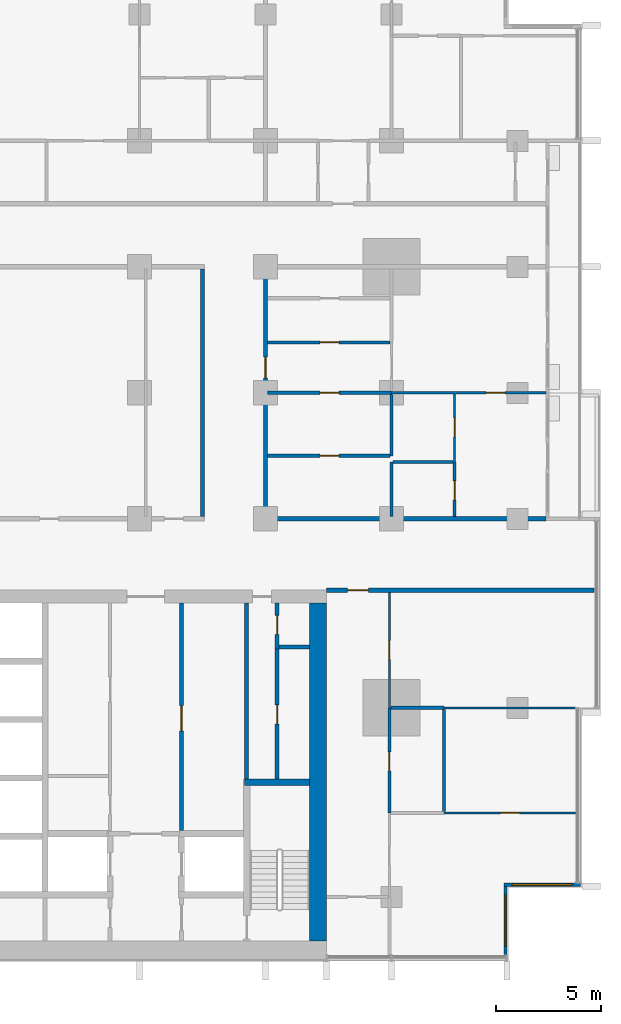
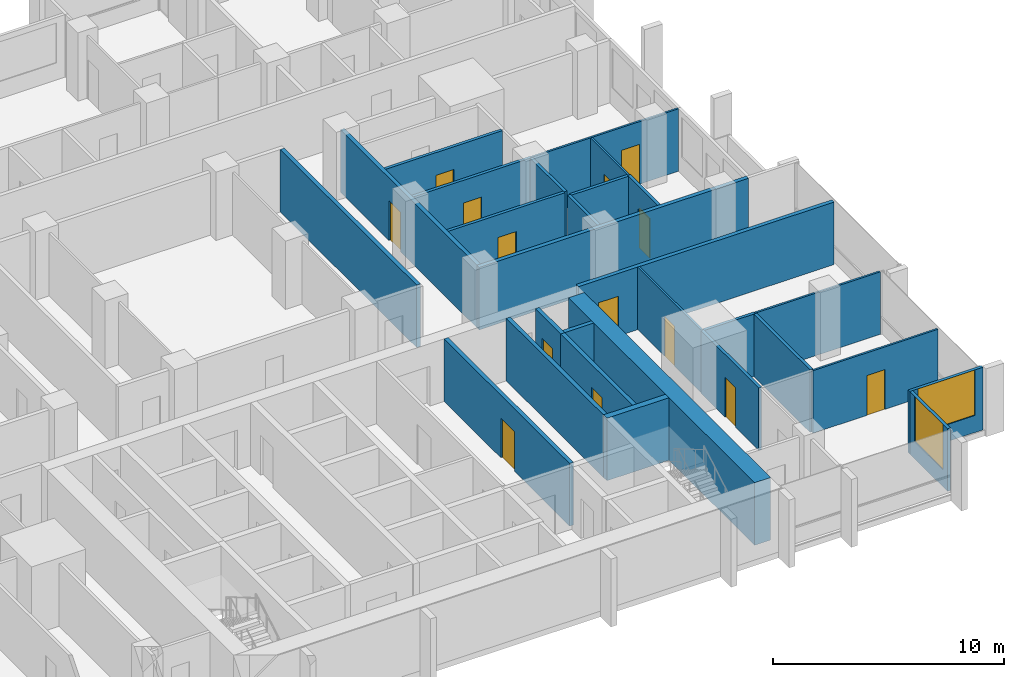
# One storey, part 9 of 17: 28 walls, 14 doors, 2 windows, 16 openings.
"""IFC4 building model written with IfcOpenShell, lengths in metres."""

from ifc_helpers import new_model, si_unit, direction, frame, frame_2d, origin, place, context, subcontext, project, spatial, rectangle, extrude, material, layer, layer_set, type_object, element, fill, save


model = new_model("IFC4")

# Units and contexts
model_context = context("Model", 3, precision=1e-05, world=origin(), true_north=direction((0.0, 1.0)))
body_context = subcontext(model_context, "Body", "Model", "MODEL_VIEW")
ifc_project = project(units=[si_unit("LENGTHUNIT", "METRE"), si_unit("AREAUNIT", "SQUARE_METRE"), si_unit("VOLUMEUNIT", "CUBIC_METRE"), si_unit("PLANEANGLEUNIT", "RADIAN"), si_unit("MASSUNIT", "GRAM", prefix="KILO")], contexts=[model_context])

# Site, building, storey
site_placement = place(None, origin())
site = spatial("IfcSite", under=ifc_project, at=site_placement, CompositionType="ELEMENT")
building_placement = place(site_placement, origin())
building = spatial("IfcBuilding", under=site, at=building_placement, Name="Finial Court Residences", CompositionType="ELEMENT")
storey_placement = place(building_placement, frame((0.0, 0.0, 95.5)))
storey = spatial("IfcBuildingStorey", under=building, at=storey_placement, Name="L23", CompositionType="ELEMENT", Elevation=95.5)

# Wall
ifc_material_1 = material(Name="Concrete C70/85", Category="concrete")
ifc_layer_1 = layer(ifc_material_1, 0.800048828125)
ifc_layer_set_1 = layer_set([ifc_layer_1], Name="Core outer wall 800 Concrete C70/85")
wall_type_1 = type_object("IfcWallType", Name="Core outer wall 800 Concrete C70/85", PredefinedType="SHEAR", material=ifc_layer_set_1)
wall_1_placement = place(storey_placement, frame((13.0, -24.60009765625, 0.0), z_axis=(0.0, 0.0, 1.0), x_axis=(0.0, 1.0, 0.0)))
element("IfcWall", 1, at=wall_1_placement, inside=storey, type_object=wall_type_1, Name="Core outer wall L23-04", PredefinedType="SHEAR", context=body_context, shape_type="SweptSolid", body=[
    extrude(rectangle(XDim=16.10009765625, YDim=0.800048828125, at=frame_2d((8.050048828125, 0.0))), origin(), (0.0, 0.0, 1.0), 3.300048828125),
])

# Wall, opening, door
ifc_material_2 = material(Name="Gypsum board")
ifc_layer_2 = layer(ifc_material_2, 0.02490234375)
ifc_material_3 = material(Name="Acoustic mineral wool in double frame")
ifc_layer_3 = layer(ifc_material_3, 0.14990234375)
ifc_layer_4 = layer(ifc_material_2, 0.02490234375)
ifc_layer_set_2 = layer_set([ifc_layer_2, ifc_layer_3, ifc_layer_4], Name="Corridor wall 200, 1 hour")
wall_type_2 = type_object("IfcWallType", Name="Corridor wall 200, 1 hour", PredefinedType="PARTITIONING", material=ifc_layer_set_2)
wall_2_placement = place(storey_placement, frame((13.39990234375, -7.89990234375, 0.0), z_axis=(0.0, 0.0, 1.0), x_axis=(1.0, 0.0, 0.0)))
wall_2 = element("IfcWall", 2, at=wall_2_placement, inside=storey, type_object=wall_type_2, Name="Partition L23-009", PredefinedType="PARTITIONING", context=body_context, shape_type="SweptSolid", body=[
    extrude(rectangle(XDim=12.75, YDim=0.199951171875, at=frame_2d((6.375, 0.0))), origin(), (0.0, 0.0, 1.0), 3.300048828125),
])
opening_1_placement = place(wall_2_placement, frame((1.0, 0.0, 0.0)))
opening_1 = element("IfcOpeningElement", 3, at=opening_1_placement, cuts=wall_2, Name="Opening L23-D006", PredefinedType="OPENING", context=body_context, shape_type="SweptSolid", body=[
    extrude(rectangle(XDim=1.0, YDim=2.10009765625, at=frame_2d((0.5, 1.050048828125))), frame((0.0, 0.10986328125, 0.0), z_axis=(0.0, -1.0, 0.0), x_axis=(1.0, 0.0, 0.0)), (0.0, 0.0, 1.0), 0.219970703125),
])
ifc_material_4 = material(Name="Timber door leaf in hollow metal frame", Category="wood")
door_type_1 = type_object("IfcDoorType", Name="Fire door set 1000 x 2100, 30 minutes", OperationType="SINGLE_SWING_LEFT", PredefinedType="DOOR", material=ifc_material_4)
door_1_placement = place(opening_1_placement, origin())
door_1 = element("IfcDoor", 4, at=door_1_placement, inside=storey, type_object=door_type_1, Name="Door L23-D006", OperationType="SINGLE_SWING_LEFT", OverallHeight=2.10009765625, OverallWidth=1.0, PredefinedType="DOOR", context=body_context, shape_type="SweptSolid", body=[
    extrude(rectangle(XDim=1.0, YDim=2.10009765625, at=frame_2d((0.5, 1.050048828125))), frame((0.0, 0.02490234375, 0.0), z_axis=(0.0, -1.0, 0.0), x_axis=(1.0, 0.0, 0.0)), (0.0, 0.0, 1.0), 0.050048828125),
])
fill(opening_1, door_1)

# Walls
wall_3_placement = place(storey_placement, frame((10.39990234375, -4.5, 0.0), z_axis=(0.0, 0.0, 1.0), x_axis=(1.0, 0.0, 0.0)))
element("IfcWall", 5, at=wall_3_placement, inside=storey, type_object=wall_type_2, Name="Partition L23-012", PredefinedType="PARTITIONING", context=body_context, shape_type="SweptSolid", body=[
    extrude(rectangle(XDim=13.4501953125, YDim=0.199951171875, at=frame_2d((6.72509765625, 0.0))), origin(), (0.0, 0.0, 1.0), 3.300048828125),
])
wall_4_placement = place(storey_placement, frame((7.5, -4.39990234375, 0.0), z_axis=(0.0, 0.0, 1.0), x_axis=(0.0, 1.0, 0.0)))
element("IfcWall", 6, at=wall_4_placement, inside=storey, type_object=wall_type_2, Name="Partition L23-057", PredefinedType="PARTITIONING", context=body_context, shape_type="SweptSolid", body=[
    extrude(rectangle(XDim=11.7998046875, YDim=0.199951171875, at=frame_2d((5.89990234375, 0.0))), origin(), (0.0, 0.0, 1.0), 3.300048828125),
])

# Wall, opening, door
wall_5_placement = place(storey_placement, frame((10.5, -4.39990234375, 0.0), z_axis=(0.0, 0.0, 1.0), x_axis=(0.0, 1.0, 0.0)))
wall_5 = element("IfcWall", 7, at=wall_5_placement, inside=storey, type_object=wall_type_2, Name="Partition L23-059", PredefinedType="PARTITIONING", context=body_context, shape_type="SweptSolid", body=[
    extrude(rectangle(XDim=11.7998046875, YDim=0.199951171875, at=frame_2d((5.89990234375, 0.0))), origin(), (0.0, 0.0, 1.0), 3.300048828125),
])
opening_2_placement = place(wall_5_placement, frame((6.60009765625, 0.0, 0.0)))
opening_2 = element("IfcOpeningElement", 8, at=opening_2_placement, cuts=wall_5, Name="Opening L23-D040", PredefinedType="OPENING", context=body_context, shape_type="SweptSolid", body=[
    extrude(rectangle(XDim=1.0, YDim=2.10009765625, at=frame_2d((0.5, 1.050048828125))), frame((0.0, 0.10986328125, 0.0), z_axis=(0.0, -1.0, 0.0), x_axis=(1.0, 0.0, 0.0)), (0.0, 0.0, 1.0), 0.219970703125),
])
door_2_placement = place(opening_2_placement, origin())
door_2 = element("IfcDoor", 9, at=door_2_placement, inside=storey, type_object=door_type_1, Name="Door L23-D040", OperationType="SINGLE_SWING_RIGHT", OverallHeight=2.10009765625, OverallWidth=1.0, PredefinedType="DOOR", context=body_context, shape_type="SweptSolid", body=[
    extrude(rectangle(XDim=1.0, YDim=2.10009765625, at=frame_2d((0.5, 1.050048828125))), frame((0.0, 0.02490234375, 0.0), z_axis=(0.0, -1.0, 0.0), x_axis=(1.0, 0.0, 0.0)), (0.0, 0.0, 1.0), 0.050048828125),
])
fill(opening_2, door_2)

ifc_layer_5 = layer(ifc_material_2, 0.012451171875)
ifc_material_5 = material(Name="Mineral wool in light-gauge frame")
ifc_layer_6 = layer(ifc_material_5, 0.074951171875)
ifc_layer_7 = layer(ifc_material_2, 0.012451171875)
ifc_layer_set_3 = layer_set([ifc_layer_5, ifc_layer_6, ifc_layer_7], Name="Gypsum board partition 100")
wall_type_3 = type_object("IfcWallType", Name="Gypsum board partition 100", PredefinedType="PARTITIONING", material=ifc_layer_set_3)
wall_6_placement = place(storey_placement, frame((19.0, -18.5, 0.0), z_axis=(0.0, 0.0, 1.0), x_axis=(1.0, 0.0, 0.0)))
wall_6 = element("IfcWall", 10, at=wall_6_placement, inside=storey, type_object=wall_type_3, Name="Partition L23-002", PredefinedType="PARTITIONING", context=body_context, shape_type="SweptSolid", body=[
    extrude(rectangle(XDim=6.25, YDim=0.10009765625, at=frame_2d((3.125, 0.0))), origin(), (0.0, 0.0, 1.0), 3.300048828125),
])
opening_3_placement = place(wall_6_placement, frame((2.699951171875, 0.0, 0.0)))
opening_3 = element("IfcOpeningElement", 11, at=opening_3_placement, cuts=wall_6, Name="Opening L23-D003", PredefinedType="OPENING", context=body_context, shape_type="SweptSolid", body=[
    extrude(rectangle(XDim=0.89990234375, YDim=2.10009765625, at=frame_2d((0.449951171875, 1.050048828125))), frame((0.0, 0.06005859375, 0.0), z_axis=(0.0, -1.0, 0.0), x_axis=(1.0, 0.0, 0.0)), (0.0, 0.0, 1.0), 0.1201171875),
])
ifc_material_6 = material(Name="Timber door leaf in timber frame", Category="wood")
door_type_2 = type_object("IfcDoorType", Name="Door set 900 x 2100", OperationType="SINGLE_SWING_LEFT", PredefinedType="DOOR", material=ifc_material_6)
door_3_placement = place(opening_3_placement, origin())
door_3 = element("IfcDoor", 12, at=door_3_placement, inside=storey, type_object=door_type_2, Name="Door L23-D003", OperationType="SINGLE_SWING_RIGHT", OverallHeight=2.10009765625, OverallWidth=0.89990234375, PredefinedType="DOOR", context=body_context, shape_type="SweptSolid", body=[
    extrude(rectangle(XDim=0.89990234375, YDim=2.10009765625, at=frame_2d((0.449951171875, 1.050048828125))), frame((0.0, 0.02490234375, 0.0), z_axis=(0.0, -1.0, 0.0), x_axis=(1.0, 0.0, 0.0)), (0.0, 0.0, 1.0), 0.050048828125),
])
fill(opening_3, door_3)

# Wall
wall_7_placement = place(storey_placement, frame((19.0, -13.5, 0.0), z_axis=(0.0, 0.0, 1.0), x_axis=(1.0, 0.0, 0.0)))
element("IfcWall", 13, at=wall_7_placement, inside=storey, type_object=wall_type_3, Name="Partition L23-005", PredefinedType="PARTITIONING", context=body_context, shape_type="SweptSolid", body=[
    extrude(rectangle(XDim=6.25, YDim=0.10009765625, at=frame_2d((3.125, 0.0))), origin(), (0.0, 0.0, 1.0), 3.300048828125),
])

# Wall, opening, door
wall_8_placement = place(storey_placement, frame((16.5, 1.5, 0.0), z_axis=(0.0, 0.0, 1.0), x_axis=(1.0, 0.0, 0.0)))
wall_8 = element("IfcWall", 14, at=wall_8_placement, inside=storey, type_object=wall_type_3, Name="Partition L23-016", PredefinedType="PARTITIONING", context=body_context, shape_type="SweptSolid", body=[
    extrude(rectangle(XDim=7.35009765625, YDim=0.10009765625, at=frame_2d((3.675048828125, 0.0))), origin(), (0.0, 0.0, 1.0), 3.300048828125),
])
opening_4_placement = place(wall_8_placement, frame((4.5, 0.0, 0.0)))
opening_4 = element("IfcOpeningElement", 15, at=opening_4_placement, cuts=wall_8, Name="Opening L23-D011", PredefinedType="OPENING", context=body_context, shape_type="SweptSolid", body=[
    extrude(rectangle(XDim=0.89990234375, YDim=2.10009765625, at=frame_2d((0.449951171875, 1.050048828125))), frame((0.0, 0.06005859375, 0.0), z_axis=(0.0, -1.0, 0.0), x_axis=(1.0, 0.0, 0.0)), (0.0, 0.0, 1.0), 0.1201171875),
])
door_4_placement = place(opening_4_placement, origin())
door_4 = element("IfcDoor", 16, at=door_4_placement, inside=storey, type_object=door_type_2, Name="Door L23-D011", OperationType="SINGLE_SWING_RIGHT", OverallHeight=2.10009765625, OverallWidth=0.89990234375, PredefinedType="DOOR", context=body_context, shape_type="SweptSolid", body=[
    extrude(rectangle(XDim=0.89990234375, YDim=2.10009765625, at=frame_2d((0.449951171875, 1.050048828125))), frame((0.0, 0.02490234375, 0.0), z_axis=(0.0, -1.0, 0.0), x_axis=(1.0, 0.0, 0.0)), (0.0, 0.0, 1.0), 0.050048828125),
])
fill(opening_4, door_4)

wall_9_placement = place(storey_placement, frame((16.39990234375, -13.5, 0.0), z_axis=(0.0, 0.0, 1.0), x_axis=(0.0, 1.0, 0.0)))
wall_9 = element("IfcWall", 17, at=wall_9_placement, inside=storey, type_object=wall_type_3, Name="Partition L23-065", PredefinedType="PARTITIONING", context=body_context, shape_type="SweptSolid", body=[
    extrude(rectangle(XDim=5.5, YDim=0.10009765625, at=frame_2d((2.75, 0.0))), origin(), (0.0, 0.0, 1.0), 3.300048828125),
])
opening_5_placement = place(wall_9_placement, frame((2.300048828125, 0.0, 0.0)))
opening_5 = element("IfcOpeningElement", 18, at=opening_5_placement, cuts=wall_9, Name="Opening L23-D044", PredefinedType="OPENING", context=body_context, shape_type="SweptSolid", body=[
    extrude(rectangle(XDim=0.89990234375, YDim=2.10009765625, at=frame_2d((0.449951171875, 1.050048828125))), frame((0.0, 0.06005859375, 0.0), z_axis=(0.0, -1.0, 0.0), x_axis=(1.0, 0.0, 0.0)), (0.0, 0.0, 1.0), 0.1201171875),
])
door_5_placement = place(opening_5_placement, origin())
door_5 = element("IfcDoor", 19, at=door_5_placement, inside=storey, type_object=door_type_2, Name="Door L23-D044", OperationType="SINGLE_SWING_RIGHT", OverallHeight=2.10009765625, OverallWidth=0.89990234375, PredefinedType="DOOR", context=body_context, shape_type="SweptSolid", body=[
    extrude(rectangle(XDim=0.89990234375, YDim=2.10009765625, at=frame_2d((0.449951171875, 1.050048828125))), frame((0.0, 0.02490234375, 0.0), z_axis=(0.0, -1.0, 0.0), x_axis=(1.0, 0.0, 0.0)), (0.0, 0.0, 1.0), 0.050048828125),
])
fill(opening_5, door_5)

wall_10_placement = place(storey_placement, frame((19.5, -1.800048828125, 0.0), z_axis=(0.0, 0.0, 1.0), x_axis=(0.0, 1.0, 0.0)))
wall_10 = element("IfcWall", 20, at=wall_10_placement, inside=storey, type_object=wall_type_3, Name="Partition L23-075", PredefinedType="PARTITIONING", context=body_context, shape_type="SweptSolid", body=[
    extrude(rectangle(XDim=3.25, YDim=0.10009765625, at=frame_2d((1.625, 0.0))), origin(), (0.0, 0.0, 1.0), 3.300048828125),
])
opening_6_placement = place(wall_10_placement, frame((1.199951171875, 0.0, 0.0)))
opening_6 = element("IfcOpeningElement", 21, at=opening_6_placement, cuts=wall_10, Name="Opening L23-D048", PredefinedType="OPENING", context=body_context, shape_type="SweptSolid", body=[
    extrude(rectangle(XDim=0.89990234375, YDim=2.10009765625, at=frame_2d((0.449951171875, 1.050048828125))), frame((0.0, 0.06005859375, 0.0), z_axis=(0.0, -1.0, 0.0), x_axis=(1.0, 0.0, 0.0)), (0.0, 0.0, 1.0), 0.1201171875),
])
door_6_placement = place(opening_6_placement, origin())
door_6 = element("IfcDoor", 22, at=door_6_placement, inside=storey, type_object=door_type_2, Name="Door L23-D048", OperationType="SINGLE_SWING_RIGHT", OverallHeight=2.10009765625, OverallWidth=0.89990234375, PredefinedType="DOOR", context=body_context, shape_type="SweptSolid", body=[
    extrude(rectangle(XDim=0.89990234375, YDim=2.10009765625, at=frame_2d((0.449951171875, 1.050048828125))), frame((0.0, 0.02490234375, 0.0), z_axis=(0.0, -1.0, 0.0), x_axis=(1.0, 0.0, 0.0)), (0.0, 0.0, 1.0), 0.050048828125),
])
fill(opening_6, door_6)

# Walls
ifc_material_7 = material(Name="Moisture-resistant gypsum board")
ifc_layer_8 = layer(ifc_material_7, 0.012451171875)
ifc_layer_9 = layer(ifc_material_5, 0.125)
ifc_layer_10 = layer(ifc_material_7, 0.012451171875)
ifc_layer_set_4 = layer_set([ifc_layer_8, ifc_layer_9, ifc_layer_10], Name="Gypsum board wet-area partition 150")
wall_type_4 = type_object("IfcWallType", Name="Gypsum board wet-area partition 150", PredefinedType="PARTITIONING", material=ifc_layer_set_4)
wall_11_placement = place(storey_placement, frame((16.47509765625, -13.5, 0.0), z_axis=(0.0, 0.0, 1.0), x_axis=(1.0, 0.0, 0.0)))
element("IfcWall", 23, at=wall_11_placement, inside=storey, type_object=wall_type_4, Name="Partition L23-007", PredefinedType="PARTITIONING", context=body_context, shape_type="SweptSolid", body=[
    extrude(rectangle(XDim=2.52490234375, YDim=0.14990234375, at=frame_2d((1.262451171875, 0.0))), origin(), (0.0, 0.0, 1.0), 3.300048828125),
])
wall_12_placement = place(storey_placement, frame((16.574951171875, -1.800048828125, 0.0), z_axis=(0.0, 0.0, 1.0), x_axis=(1.0, 0.0, 0.0)))
element("IfcWall", 24, at=wall_12_placement, inside=storey, type_object=wall_type_4, Name="Partition L23-013", PredefinedType="PARTITIONING", context=body_context, shape_type="SweptSolid", body=[
    extrude(rectangle(XDim=2.85009765625, YDim=0.14990234375, at=frame_2d((1.425048828125, 0.0))), origin(), (0.0, 0.0, 1.0), 3.300048828125),
])

# Wall, opening, door
wall_13_placement = place(storey_placement, frame((10.60009765625, -1.5, 0.0), z_axis=(0.0, 0.0, 1.0), x_axis=(1.0, 0.0, 0.0)))
wall_13 = element("IfcWall", 25, at=wall_13_placement, inside=storey, type_object=wall_type_4, Name="Partition L23-014", PredefinedType="PARTITIONING", context=body_context, shape_type="SweptSolid", body=[
    extrude(rectangle(XDim=5.824951171875, YDim=0.14990234375, at=frame_2d((2.91259765625, 0.0))), origin(), (0.0, 0.0, 1.0), 3.300048828125),
])
opening_7_placement = place(wall_13_placement, frame((2.5, 0.0, 0.0)))
opening_7 = element("IfcOpeningElement", 26, at=opening_7_placement, cuts=wall_13, Name="Opening L23-D010", PredefinedType="OPENING", context=body_context, shape_type="SweptSolid", body=[
    extrude(rectangle(XDim=0.89990234375, YDim=2.10009765625, at=frame_2d((0.449951171875, 1.050048828125))), frame((0.0, 0.0849609375, 0.0), z_axis=(0.0, -1.0, 0.0), x_axis=(1.0, 0.0, 0.0)), (0.0, 0.0, 1.0), 0.169921875),
])
door_7_placement = place(opening_7_placement, origin())
door_7 = element("IfcDoor", 27, at=door_7_placement, inside=storey, type_object=door_type_2, Name="Door L23-D010", OperationType="SINGLE_SWING_LEFT", OverallHeight=2.10009765625, OverallWidth=0.89990234375, PredefinedType="DOOR", context=body_context, shape_type="SweptSolid", body=[
    extrude(rectangle(XDim=0.89990234375, YDim=2.10009765625, at=frame_2d((0.449951171875, 1.050048828125))), frame((0.0, 0.02490234375, 0.0), z_axis=(0.0, -1.0, 0.0), x_axis=(1.0, 0.0, 0.0)), (0.0, 0.0, 1.0), 0.050048828125),
])
fill(opening_7, door_7)

wall_14_placement = place(storey_placement, frame((10.60009765625, 1.5, 0.0), z_axis=(0.0, 0.0, 1.0), x_axis=(1.0, 0.0, 0.0)))
wall_14 = element("IfcWall", 28, at=wall_14_placement, inside=storey, type_object=wall_type_4, Name="Partition L23-017", PredefinedType="PARTITIONING", context=body_context, shape_type="SweptSolid", body=[
    extrude(rectangle(XDim=5.89990234375, YDim=0.14990234375, at=frame_2d((2.949951171875, 0.0))), origin(), (0.0, 0.0, 1.0), 3.300048828125),
])
opening_8_placement = place(wall_14_placement, frame((2.5, 0.0, 0.0)))
opening_8 = element("IfcOpeningElement", 29, at=opening_8_placement, cuts=wall_14, Name="Opening L23-D012", PredefinedType="OPENING", context=body_context, shape_type="SweptSolid", body=[
    extrude(rectangle(XDim=0.89990234375, YDim=2.10009765625, at=frame_2d((0.449951171875, 1.050048828125))), frame((0.0, 0.0849609375, 0.0), z_axis=(0.0, -1.0, 0.0), x_axis=(1.0, 0.0, 0.0)), (0.0, 0.0, 1.0), 0.169921875),
])
door_8_placement = place(opening_8_placement, origin())
door_8 = element("IfcDoor", 30, at=door_8_placement, inside=storey, type_object=door_type_2, Name="Door L23-D012", OperationType="SINGLE_SWING_RIGHT", OverallHeight=2.10009765625, OverallWidth=0.89990234375, PredefinedType="DOOR", context=body_context, shape_type="SweptSolid", body=[
    extrude(rectangle(XDim=0.89990234375, YDim=2.10009765625, at=frame_2d((0.449951171875, 1.050048828125))), frame((0.0, 0.02490234375, 0.0), z_axis=(0.0, -1.0, 0.0), x_axis=(1.0, 0.0, 0.0)), (0.0, 0.0, 1.0), 0.050048828125),
])
fill(opening_8, door_8)

wall_15_placement = place(storey_placement, frame((10.60009765625, 3.89990234375, 0.0), z_axis=(0.0, 0.0, 1.0), x_axis=(1.0, 0.0, 0.0)))
wall_15 = element("IfcWall", 31, at=wall_15_placement, inside=storey, type_object=wall_type_4, Name="Partition L23-018", PredefinedType="PARTITIONING", context=body_context, shape_type="SweptSolid", body=[
    extrude(rectangle(XDim=5.824951171875, YDim=0.14990234375, at=frame_2d((2.91259765625, 0.0))), origin(), (0.0, 0.0, 1.0), 3.300048828125),
])
opening_9_placement = place(wall_15_placement, frame((2.5, 0.0, 0.0)))
opening_9 = element("IfcOpeningElement", 32, at=opening_9_placement, cuts=wall_15, Name="Opening L23-D013", PredefinedType="OPENING", context=body_context, shape_type="SweptSolid", body=[
    extrude(rectangle(XDim=0.89990234375, YDim=2.10009765625, at=frame_2d((0.449951171875, 1.050048828125))), frame((0.0, 0.0849609375, 0.0), z_axis=(0.0, -1.0, 0.0), x_axis=(1.0, 0.0, 0.0)), (0.0, 0.0, 1.0), 0.169921875),
])
door_9_placement = place(opening_9_placement, origin())
door_9 = element("IfcDoor", 33, at=door_9_placement, inside=storey, type_object=door_type_2, Name="Door L23-D013", OperationType="SINGLE_SWING_LEFT", OverallHeight=2.10009765625, OverallWidth=0.89990234375, PredefinedType="DOOR", context=body_context, shape_type="SweptSolid", body=[
    extrude(rectangle(XDim=0.89990234375, YDim=2.10009765625, at=frame_2d((0.449951171875, 1.050048828125))), frame((0.0, 0.02490234375, 0.0), z_axis=(0.0, -1.0, 0.0), x_axis=(1.0, 0.0, 0.0)), (0.0, 0.0, 1.0), 0.050048828125),
])
fill(opening_9, door_9)

wall_16_placement = place(storey_placement, frame((16.39990234375, -18.5, 0.0), z_axis=(0.0, 0.0, 1.0), x_axis=(0.0, 1.0, 0.0)))
wall_16 = element("IfcWall", 34, at=wall_16_placement, inside=storey, type_object=wall_type_4, Name="Partition L23-067", PredefinedType="PARTITIONING", context=body_context, shape_type="SweptSolid", body=[
    extrude(rectangle(XDim=5.0, YDim=0.14990234375, at=frame_2d((2.5, 0.0))), origin(), (0.0, 0.0, 1.0), 3.300048828125),
])
opening_10_placement = place(wall_16_placement, frame((2.0, 0.0, 0.0)))
opening_10 = element("IfcOpeningElement", 35, at=opening_10_placement, cuts=wall_16, Name="Opening L23-D045", PredefinedType="OPENING", context=body_context, shape_type="SweptSolid", body=[
    extrude(rectangle(XDim=0.89990234375, YDim=2.10009765625, at=frame_2d((0.449951171875, 1.050048828125))), frame((0.0, 0.0849609375, 0.0), z_axis=(0.0, -1.0, 0.0), x_axis=(1.0, 0.0, 0.0)), (0.0, 0.0, 1.0), 0.169921875),
])
door_10_placement = place(opening_10_placement, origin())
door_10 = element("IfcDoor", 36, at=door_10_placement, inside=storey, type_object=door_type_2, Name="Door L23-D045", OperationType="SINGLE_SWING_RIGHT", OverallHeight=2.10009765625, OverallWidth=0.89990234375, PredefinedType="DOOR", context=body_context, shape_type="SweptSolid", body=[
    extrude(rectangle(XDim=0.89990234375, YDim=2.10009765625, at=frame_2d((0.449951171875, 1.050048828125))), frame((0.0, 0.02490234375, 0.0), z_axis=(0.0, -1.0, 0.0), x_axis=(1.0, 0.0, 0.0)), (0.0, 0.0, 1.0), 0.050048828125),
])
fill(opening_10, door_10)

# Walls
wall_17_placement = place(storey_placement, frame((16.5, -4.39990234375, 0.0), z_axis=(0.0, 0.0, 1.0), x_axis=(0.0, 1.0, 0.0)))
element("IfcWall", 37, at=wall_17_placement, inside=storey, type_object=wall_type_4, Name="Partition L23-070", PredefinedType="PARTITIONING", context=body_context, shape_type="SweptSolid", body=[
    extrude(rectangle(XDim=2.599853515625, YDim=0.14990234375, at=frame_2d((1.2998046875, 0.0))), origin(), (0.0, 0.0, 1.0), 3.300048828125),
])
wall_18_placement = place(storey_placement, frame((16.5, -1.5, 0.0), z_axis=(0.0, 0.0, 1.0), x_axis=(0.0, 1.0, 0.0)))
element("IfcWall", 38, at=wall_18_placement, inside=storey, type_object=wall_type_4, Name="Partition L23-071", PredefinedType="PARTITIONING", context=body_context, shape_type="SweptSolid", body=[
    extrude(rectangle(XDim=2.925048828125, YDim=0.14990234375, at=frame_2d((1.46240234375, 0.0))), origin(), (0.0, 0.0, 1.0), 3.300048828125),
])
wall_19_placement = place(storey_placement, frame((19.0, -18.425048828125, 0.0), z_axis=(0.0, 0.0, 1.0), x_axis=(0.0, 1.0, 0.0)))
element("IfcWall", 39, at=wall_19_placement, inside=storey, type_object=wall_type_4, Name="Partition L23-074", PredefinedType="PARTITIONING", context=body_context, shape_type="SweptSolid", body=[
    extrude(rectangle(XDim=4.85009765625, YDim=0.14990234375, at=frame_2d((2.425048828125, 0.0))), origin(), (0.0, 0.0, 1.0), 3.300048828125),
])

# Wall, opening, door
wall_20_placement = place(storey_placement, frame((19.5, -4.39990234375, 0.0), z_axis=(0.0, 0.0, 1.0), x_axis=(0.0, 1.0, 0.0)))
wall_20 = element("IfcWall", 40, at=wall_20_placement, inside=storey, type_object=wall_type_4, Name="Partition L23-076", PredefinedType="PARTITIONING", context=body_context, shape_type="SweptSolid", body=[
    extrude(rectangle(XDim=2.599853515625, YDim=0.14990234375, at=frame_2d((1.2998046875, 0.0))), origin(), (0.0, 0.0, 1.0), 3.300048828125),
])
opening_11_placement = place(wall_20_placement, frame((0.800048828125, 0.0, 0.0)))
opening_11 = element("IfcOpeningElement", 41, at=opening_11_placement, cuts=wall_20, Name="Opening L23-D049", PredefinedType="OPENING", context=body_context, shape_type="SweptSolid", body=[
    extrude(rectangle(XDim=0.89990234375, YDim=2.10009765625, at=frame_2d((0.449951171875, 1.050048828125))), frame((0.0, 0.0849609375, 0.0), z_axis=(0.0, -1.0, 0.0), x_axis=(1.0, 0.0, 0.0)), (0.0, 0.0, 1.0), 0.169921875),
])
door_11_placement = place(opening_11_placement, origin())
door_11 = element("IfcDoor", 42, at=door_11_placement, inside=storey, type_object=door_type_2, Name="Door L23-D049", OperationType="SINGLE_SWING_LEFT", OverallHeight=2.10009765625, OverallWidth=0.89990234375, PredefinedType="DOOR", context=body_context, shape_type="SweptSolid", body=[
    extrude(rectangle(XDim=0.89990234375, YDim=2.10009765625, at=frame_2d((0.449951171875, 1.050048828125))), frame((0.0, 0.02490234375, 0.0), z_axis=(0.0, -1.0, 0.0), x_axis=(1.0, 0.0, 0.0)), (0.0, 0.0, 1.0), 0.050048828125),
])
fill(opening_11, door_11)

# Wall
ifc_layer_11 = layer(ifc_material_1, 0.300048828125)
ifc_layer_set_5 = layer_set([ifc_layer_11], Name="Lift shaft and stair wall 300 Concrete C70/85")
wall_type_5 = type_object("IfcWallType", Name="Lift shaft and stair wall 300 Concrete C70/85", PredefinedType="SHEAR", material=ifc_layer_set_5)
wall_21_placement = place(storey_placement, frame((9.5, -17.050048828125, 0.0), z_axis=(0.0, 0.0, 1.0), x_axis=(1.0, 0.0, 0.0)))
element("IfcWall", 43, at=wall_21_placement, inside=storey, type_object=wall_type_5, Name="Core wall L23-11", PredefinedType="SHEAR", context=body_context, shape_type="SweptSolid", body=[
    extrude(rectangle(XDim=3.10009765625, YDim=0.300048828125, at=frame_2d((1.550048828125, 0.0))), origin(), (0.0, 0.0, 1.0), 3.300048828125),
])

# Wall, opening, window
ifc_material_8 = material(Name="Natural limestone", Category="masonry")
ifc_layer_12 = layer(ifc_material_8, 0.14990234375)
ifc_layer_set_6 = layer_set([ifc_layer_12], Name="Limestone clad wall 150")
wall_type_6 = type_object("IfcWallType", Name="Limestone clad wall 150", PredefinedType="SOLIDWALL", material=ifc_layer_set_6)
wall_22_placement = place(storey_placement, frame((21.925048828125, -22.0, 0.0), z_axis=(0.0, 0.0, 1.0), x_axis=(0.0, -1.0, 0.0)))
wall_22 = element("IfcWall", 44, at=wall_22_placement, inside=storey, type_object=wall_type_6, Name="E-L23-NWE14", PredefinedType="SOLIDWALL", context=body_context, shape_type="SweptSolid", body=[
    extrude(rectangle(XDim=3.25, YDim=0.14990234375, at=frame_2d((1.625, 0.0))), origin(), (0.0, 0.0, 1.0), 3.300048828125),
])
opening_12_placement = place(wall_22_placement, frame((0.39990234375, 0.0, 0.89990234375)))
opening_12 = element("IfcOpeningElement", 45, at=opening_12_placement, cuts=wall_22, Name="Opening WE23-03", PredefinedType="OPENING", context=body_context, shape_type="SweptSolid", body=[
    extrude(rectangle(XDim=2.449951171875, YDim=2.39990234375, at=frame_2d((1.22509765625, 1.199951171875))), frame((0.0, 0.0849609375, 0.0), z_axis=(0.0, -1.0, 0.0), x_axis=(1.0, 0.0, 0.0)), (0.0, 0.0, 1.0), 0.169921875),
])
ifc_material_9 = material(Name="Clear low-e glass", Category="glass")
window_type_1 = type_object("IfcWindowType", Name="Corner window 2450 x 2400", PartitioningType="SINGLE_PANEL", PredefinedType="WINDOW", material=ifc_material_9)
window_1_placement = place(opening_12_placement, origin())
window_1 = element("IfcWindow", 46, at=window_1_placement, inside=storey, type_object=window_type_1, Name="E-L23-NWE14-W1", OverallHeight=2.39990234375, OverallWidth=2.449951171875, PartitioningType="SINGLE_PANEL", PredefinedType="WINDOW", context=body_context, shape_type="SweptSolid", body=[
    extrude(rectangle(XDim=2.449951171875, YDim=2.39990234375, at=frame_2d((1.22509765625, 1.199951171875))), frame((0.0, 0.030029296875, 0.0), z_axis=(0.0, -1.0, 0.0), x_axis=(1.0, 0.0, 0.0)), (0.0, 0.0, 1.0), 0.06005859375),
])
fill(opening_12, window_1)

wall_23_placement = place(storey_placement, frame((25.5, -21.925048828125, 0.0), z_axis=(0.0, 0.0, 1.0), x_axis=(-1.0, 0.0, 0.0)))
wall_23 = element("IfcWall", 47, at=wall_23_placement, inside=storey, type_object=wall_type_6, Name="E-L23-NWS15", PredefinedType="SOLIDWALL", context=body_context, shape_type="SweptSolid", body=[
    extrude(rectangle(XDim=3.64990234375, YDim=0.14990234375, at=frame_2d((1.824951171875, 0.0))), origin(), (0.0, 0.0, 1.0), 3.300048828125),
])
opening_13_placement = place(wall_23_placement, frame((0.39990234375, 0.0, 0.89990234375)))
opening_13 = element("IfcOpeningElement", 48, at=opening_13_placement, cuts=wall_23, Name="Opening WE23-04", PredefinedType="OPENING", context=body_context, shape_type="SweptSolid", body=[
    extrude(rectangle(XDim=2.85009765625, YDim=2.39990234375, at=frame_2d((1.425048828125, 1.199951171875))), frame((0.0, 0.0849609375, 0.0), z_axis=(0.0, -1.0, 0.0), x_axis=(1.0, 0.0, 0.0)), (0.0, 0.0, 1.0), 0.169921875),
])
window_type_2 = type_object("IfcWindowType", Name="Corner window 2850 x 2400", PartitioningType="SINGLE_PANEL", PredefinedType="WINDOW", material=ifc_material_9)
window_2_placement = place(opening_13_placement, origin())
window_2 = element("IfcWindow", 49, at=window_2_placement, inside=storey, type_object=window_type_2, Name="E-L23-NWS15-W1", OverallHeight=2.39990234375, OverallWidth=2.85009765625, PartitioningType="SINGLE_PANEL", PredefinedType="WINDOW", context=body_context, shape_type="SweptSolid", body=[
    extrude(rectangle(XDim=2.85009765625, YDim=2.39990234375, at=frame_2d((1.425048828125, 1.199951171875))), frame((0.0, 0.030029296875, 0.0), z_axis=(0.0, -1.0, 0.0), x_axis=(1.0, 0.0, 0.0)), (0.0, 0.0, 1.0), 0.06005859375),
])
fill(opening_13, window_2)

# Wall
ifc_material_10 = material(Name="Fire-rated gypsum board partition")
ifc_layer_13 = layer(ifc_material_10, 0.199951171875)
ifc_layer_set_7 = layer_set([ifc_layer_13], Name="Riser room wall 200 EI 120")
wall_type_7 = type_object("IfcWallType", Name="Riser room wall 200 EI 120", PredefinedType="PARTITIONING", material=ifc_layer_set_7)
wall_24_placement = place(storey_placement, frame((11.14990234375, -10.60009765625, 0.0), z_axis=(0.0, 0.0, 1.0), x_axis=(1.0, 0.0, 0.0)))
element("IfcWall", 50, at=wall_24_placement, inside=storey, type_object=wall_type_7, Name="Core partition L23-20", PredefinedType="PARTITIONING", context=body_context, shape_type="SweptSolid", body=[
    extrude(rectangle(XDim=1.4501953125, YDim=0.199951171875, at=frame_2d((0.72509765625, 0.0))), origin(), (0.0, 0.0, 1.0), 3.300048828125),
])

# Wall, opening, door
wall_25_placement = place(storey_placement, frame((6.5, -8.5, 0.0), z_axis=(0.0, 0.0, 1.0), x_axis=(0.0, -1.0, 0.0)))
wall_25 = element("IfcWall", 51, at=wall_25_placement, inside=storey, type_object=wall_type_7, Name="Core partition L23-34", PredefinedType="PARTITIONING", context=body_context, shape_type="SweptSolid", body=[
    extrude(rectangle(XDim=10.85009765625, YDim=0.199951171875, at=frame_2d((5.425048828125, 0.0))), origin(), (0.0, 0.0, 1.0), 3.300048828125),
])
opening_14_placement = place(wall_25_placement, frame((4.89990234375, 0.0, 0.0)))
opening_14 = element("IfcOpeningElement", 52, at=opening_14_placement, cuts=wall_25, Name="Opening L23-C09", PredefinedType="OPENING", context=body_context, shape_type="SweptSolid", body=[
    extrude(rectangle(XDim=1.199951171875, YDim=2.10009765625, at=frame_2d((0.60009765625, 1.050048828125))), frame((0.0, 0.10986328125, 0.0), z_axis=(0.0, -1.0, 0.0), x_axis=(1.0, 0.0, 0.0)), (0.0, 0.0, 1.0), 0.219970703125),
])
ifc_material_11 = material(Name="Steel fire door", Category="steel")
door_type_3 = type_object("IfcDoorType", Name="Riser room door 1200 x 2100 EI 90", OperationType="NOTDEFINED", PredefinedType="DOOR", material=ifc_material_11)
door_12_placement = place(opening_14_placement, origin())
door_12 = element("IfcDoor", 53, at=door_12_placement, inside=storey, type_object=door_type_3, Name="Riser room door L23-C09", OperationType="SINGLE_SWING_RIGHT", OverallHeight=2.10009765625, OverallWidth=1.199951171875, PredefinedType="DOOR", context=body_context, shape_type="SweptSolid", body=[
    extrude(rectangle(XDim=1.199951171875, YDim=2.10009765625, at=frame_2d((0.60009765625, 1.050048828125))), frame((0.0, 0.02490234375, 0.0), z_axis=(0.0, -1.0, 0.0), x_axis=(1.0, 0.0, 0.0)), (0.0, 0.0, 1.0), 0.050048828125),
])
fill(opening_14, door_12)

# Wall
wall_26_placement = place(storey_placement, frame((9.60009765625, -16.89990234375, 0.0), z_axis=(0.0, 0.0, 1.0), x_axis=(0.0, 1.0, 0.0)))
element("IfcWall", 54, at=wall_26_placement, inside=storey, type_object=wall_type_7, Name="Core partition L23-36", PredefinedType="PARTITIONING", context=body_context, shape_type="SweptSolid", body=[
    extrude(rectangle(XDim=8.39990234375, YDim=0.199951171875, at=frame_2d((4.199951171875, 0.0))), origin(), (0.0, 0.0, 1.0), 3.300048828125),
])

# Wall, opening, door
wall_27_placement = place(storey_placement, frame((11.050048828125, -8.5, 0.0), z_axis=(0.0, 0.0, 1.0), x_axis=(0.0, -1.0, 0.0)))
wall_27 = element("IfcWall", 55, at=wall_27_placement, inside=storey, type_object=wall_type_7, Name="Core partition L23-38", PredefinedType="PARTITIONING", context=body_context, shape_type="SweptSolid", body=[
    extrude(rectangle(XDim=2.199951171875, YDim=0.199951171875, at=frame_2d((1.10009765625, 0.0))), origin(), (0.0, 0.0, 1.0), 3.300048828125),
])
opening_15_placement = place(wall_27_placement, frame((0.60009765625, 0.0, 0.0)))
opening_15 = element("IfcOpeningElement", 56, at=opening_15_placement, cuts=wall_27, Name="Opening L23-C08", PredefinedType="OPENING", context=body_context, shape_type="SweptSolid", body=[
    extrude(rectangle(XDim=0.89990234375, YDim=2.10009765625, at=frame_2d((0.449951171875, 1.050048828125))), frame((0.0, 0.10986328125, 0.0), z_axis=(0.0, -1.0, 0.0), x_axis=(1.0, 0.0, 0.0)), (0.0, 0.0, 1.0), 0.219970703125),
])
door_type_4 = type_object("IfcDoorType", Name="Riser room door 900 x 2100 EI 90", OperationType="NOTDEFINED", PredefinedType="DOOR", material=ifc_material_11)
door_13_placement = place(opening_15_placement, origin())
door_13 = element("IfcDoor", 57, at=door_13_placement, inside=storey, type_object=door_type_4, Name="Riser room door L23-C08", OperationType="SINGLE_SWING_RIGHT", OverallHeight=2.10009765625, OverallWidth=0.89990234375, PredefinedType="DOOR", context=body_context, shape_type="SweptSolid", body=[
    extrude(rectangle(XDim=0.89990234375, YDim=2.10009765625, at=frame_2d((0.449951171875, 1.050048828125))), frame((0.0, 0.02490234375, 0.0), z_axis=(0.0, -1.0, 0.0), x_axis=(1.0, 0.0, 0.0)), (0.0, 0.0, 1.0), 0.050048828125),
])
fill(opening_15, door_13)

ifc_layer_14 = layer(ifc_material_10, 0.199951171875)
ifc_layer_set_8 = layer_set([ifc_layer_14], Name="Stair passage wall 200 EI 180")
wall_type_8 = type_object("IfcWallType", Name="Stair passage wall 200 EI 180", PredefinedType="PARTITIONING", material=ifc_layer_set_8)
wall_28_placement = place(storey_placement, frame((11.050048828125, -10.5, 0.0), z_axis=(0.0, 0.0, 1.0), x_axis=(0.0, -1.0, 0.0)))
wall_28 = element("IfcWall", 58, at=wall_28_placement, inside=storey, type_object=wall_type_8, Name="Core partition L23-37", PredefinedType="PARTITIONING", context=body_context, shape_type="SweptSolid", body=[
    extrude(rectangle(XDim=6.39990234375, YDim=0.199951171875, at=frame_2d((3.199951171875, 0.0))), origin(), (0.0, 0.0, 1.0), 3.300048828125),
])
opening_16_placement = place(wall_28_placement, frame((2.875, 0.0, 0.0)))
opening_16 = element("IfcOpeningElement", 59, at=opening_16_placement, cuts=wall_28, Name="Opening L23-C13", PredefinedType="OPENING", context=body_context, shape_type="SweptSolid", body=[
    extrude(rectangle(XDim=0.89990234375, YDim=2.10009765625, at=frame_2d((0.449951171875, 1.050048828125))), frame((0.0, 0.10986328125, 0.0), z_axis=(0.0, -1.0, 0.0), x_axis=(1.0, 0.0, 0.0)), (0.0, 0.0, 1.0), 0.219970703125),
])
door_type_5 = type_object("IfcDoorType", Name="Core room door 900 x 2100 EI 60", OperationType="NOTDEFINED", PredefinedType="DOOR", material=ifc_material_11)
door_14_placement = place(opening_16_placement, origin())
door_14 = element("IfcDoor", 60, at=door_14_placement, inside=storey, type_object=door_type_5, Name="Core room door L23-C13", OperationType="SINGLE_SWING_LEFT", OverallHeight=2.10009765625, OverallWidth=0.89990234375, PredefinedType="DOOR", context=body_context, shape_type="SweptSolid", body=[
    extrude(rectangle(XDim=0.89990234375, YDim=2.10009765625, at=frame_2d((0.449951171875, 1.050048828125))), frame((0.0, 0.02490234375, 0.0), z_axis=(0.0, -1.0, 0.0), x_axis=(1.0, 0.0, 0.0)), (0.0, 0.0, 1.0), 0.050048828125),
])
fill(opening_16, door_14)

save(model, "model.ifc")
